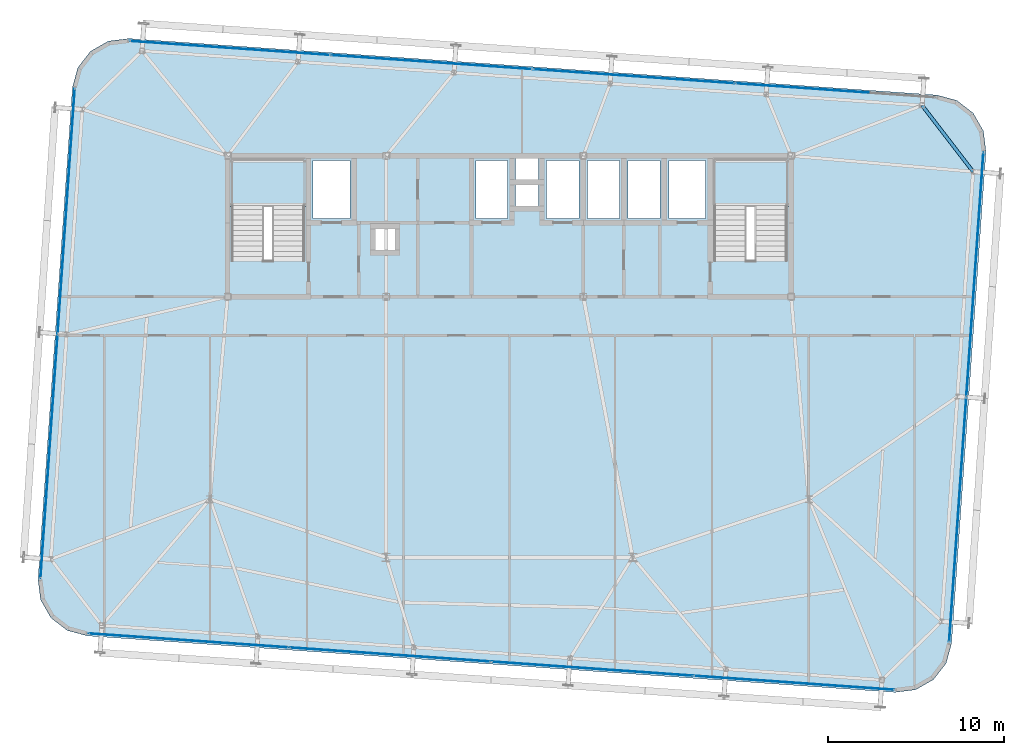
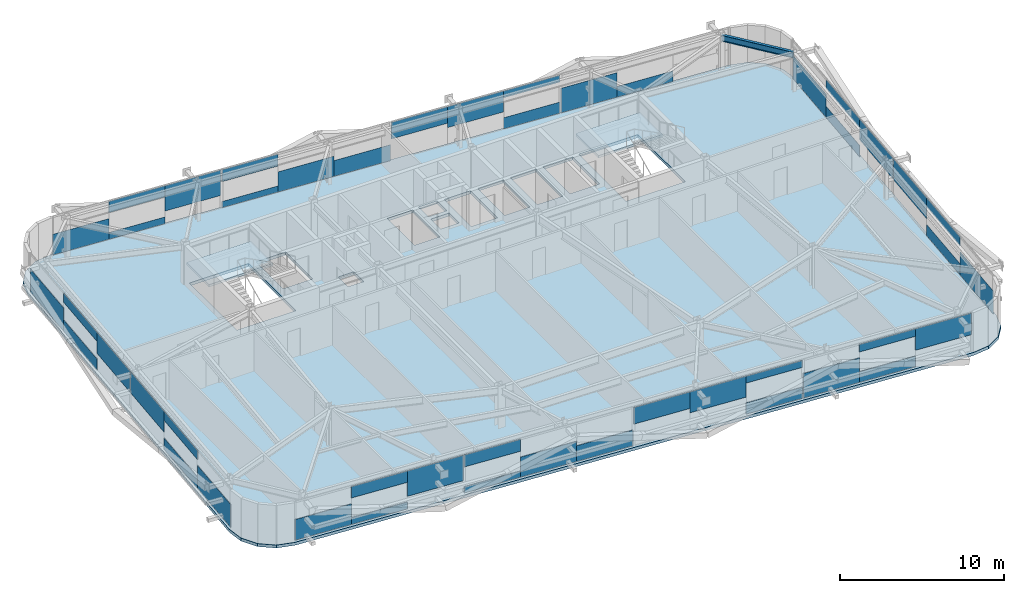
# One storey, part 25 of 39: 46 plates, 3 slabs, 1 beam, 6 elements without a shape of their own.
"""IFC4 building model written with IfcOpenShell, lengths in metres."""

from ifc_helpers import new_model, si_unit, direction, frame, origin, origin_2d, place, context, subcontext, project, spatial, polyline, rectangle, i_section, outline, extrude, source, transform, mapped, material, layer, layer_set, material_profile, profile_set, type_object, element, aggregate, save


model = new_model("IFC4")

# Units and contexts
model_context = context("Model", 3, precision=1e-05, world=origin(), true_north=direction((0.0, 1.0)))
body_context = subcontext(model_context, "Body", "Model", "MODEL_VIEW")
ifc_project = project(units=[si_unit("LENGTHUNIT", "METRE"), si_unit("AREAUNIT", "SQUARE_METRE"), si_unit("VOLUMEUNIT", "CUBIC_METRE"), si_unit("PLANEANGLEUNIT", "RADIAN"), si_unit("MASSUNIT", "GRAM", prefix="KILO")], contexts=[model_context])

# Site, building, storey
site_placement = place(None, origin())
site = spatial("IfcSite", under=ifc_project, at=site_placement, CompositionType="ELEMENT")
building_placement = place(site_placement, origin())
building = spatial("IfcBuilding", under=site, at=building_placement, Name="Taldren Reach Tower", CompositionType="ELEMENT")
storey_placement = place(building_placement, frame((0.0, 0.0, 123.550048828125)))
storey = spatial("IfcBuildingStorey", under=building, at=storey_placement, Name="L37", CompositionType="ELEMENT", Elevation=123.550048828125)

# Beam
ifc_material_1 = material(Name="Steel Gr 350 (350PLUS)", Category="steel")
ifc_material_profile = material_profile(ifc_material_1, i_section(OverallWidth=0.18994140625, OverallDepth=0.4541015625, WebThickness=0.008544921875, FlangeThickness=0.0126953125, at=origin_2d()), Name="460UB67.1")
ifc_profile_set = profile_set([ifc_material_profile], Name="Steel Gr 350 (350PLUS)")
beam_type = type_object("IfcBeamType", Name="SP-UB460B", PredefinedType="SPANDREL", material=ifc_profile_set)
shared_shape_1 = source(origin(), body_context, "Body", "SweptSolid", [
    extrude(i_section(OverallWidth=0.18994140625, OverallDepth=0.4541015625, WebThickness=0.008544921875, FlangeThickness=0.0126953125, at=origin_2d()), origin(), (0.0, 0.0, 1.0), 4.745849609375),
])
beam_placement = place(storey_placement, frame((61.3310546875, 31.1005859375, 2.702880859375), z_axis=(-0.609904656723, 0.792474800677, 0.0), x_axis=(-0.792474800677, -0.609904656723, 0.0)))
element("IfcBeam", 1, at=beam_placement, inside=storey, type_object=beam_type, Name="Perimeter spandrel B3 E3-N6 L37", PredefinedType="SPANDREL", context=body_context, shape_type="MappedRepresentation", body=[
    mapped(shared_shape_1, transform((0.0, 0.0, 0.0), scale=1.0)),
])

# Slab
ifc_material_2 = material(Name="Concrete N40 (40 MPa)", Category="concrete")
ifc_layer_1 = layer(ifc_material_2, 0.219970703125)
ifc_layer_set_1 = layer_set([ifc_layer_1], Name="Concrete N40 (40 MPa)")
slab_type_1 = type_object("IfcSlabType", Name="SL-FLR-220", PredefinedType="FLOOR", material=ifc_layer_set_1)
slab_1_placement = place(storey_placement, frame((0.0, 0.0, -0.219970703125)))
element("IfcSlab", 2, at=slab_1_placement, inside=storey, type_object=slab_type_1, Name="Suspended floor slab L37", PredefinedType="FLOOR", context=body_context, shape_type="SweptSolid", body=[
    extrude(outline(polyline([(56.908203125, 1.537109375), (58.0693359375, 1.684814453125), (59.08544921875, 2.265625), (59.80224609375, 3.191162109375), (60.110107421875, 4.320556640625), (62.063232421875, 32.252197265625), (61.91552734375, 33.413330078125), (61.334716796875, 34.4296875), (60.4091796875, 35.146240234375), (59.27978515625, 35.4541015625), (13.391845703125, 38.6630859375), (12.230712890625, 38.515380859375), (11.21435546875, 37.934326171875), (10.497802734375, 37.0087890625), (10.18994140625, 35.879638671875), (8.23681640625, 7.94775390625), (8.384521484375, 6.78662109375), (8.96533203125, 5.770263671875), (9.890869140625, 5.0537109375), (11.020263671875, 4.745849609375), (56.908203125, 1.537109375)]), holes=[polyline([(19.219970703125, 26.050048828125), (23.3798828125, 26.050048828125), (23.3798828125, 31.820068359375), (19.219970703125, 31.820068359375), (19.219970703125, 26.050048828125)]), polyline([(46.6201171875, 26.050048828125), (50.780029296875, 26.050048828125), (50.780029296875, 31.820068359375), (46.6201171875, 31.820068359375), (46.6201171875, 26.050048828125)]), polyline([(23.85009765625, 28.449951171875), (25.949951171875, 28.449951171875), (25.949951171875, 31.75), (23.85009765625, 31.75), (23.85009765625, 28.449951171875)]), polyline([(44.050048828125, 28.449951171875), (46.14990234375, 28.449951171875), (46.14990234375, 31.75), (44.050048828125, 31.75), (44.050048828125, 28.449951171875)]), polyline([(33.10009765625, 28.449951171875), (34.89990234375, 28.449951171875), (34.89990234375, 31.75), (33.10009765625, 31.75), (33.10009765625, 28.449951171875)]), polyline([(37.10009765625, 28.449951171875), (38.949951171875, 28.449951171875), (38.949951171875, 31.75), (37.10009765625, 31.75), (37.10009765625, 28.449951171875)]), polyline([(39.449951171875, 28.449951171875), (41.25, 28.449951171875), (41.25, 31.75), (39.449951171875, 31.75), (39.449951171875, 28.449951171875)]), polyline([(41.75, 28.449951171875), (43.550048828125, 28.449951171875), (43.550048828125, 31.75), (41.75, 31.75), (41.75, 28.449951171875)]), polyline([(35.35009765625, 30.64990234375), (36.64990234375, 30.64990234375), (36.64990234375, 31.85009765625), (35.35009765625, 31.85009765625), (35.35009765625, 30.64990234375)]), polyline([(35.35009765625, 29.14990234375), (36.64990234375, 29.14990234375), (36.64990234375, 30.35009765625), (35.35009765625, 30.35009765625), (35.35009765625, 29.14990234375)]), polyline([(27.39990234375, 26.64990234375), (28.5, 26.64990234375), (28.5, 27.85009765625), (27.39990234375, 27.85009765625), (27.39990234375, 26.64990234375)])]), origin(), (0.0, 0.0, 1.0), 0.219970703125),
])

# Stair, slab
ifc_material_3 = material(Name="Concrete S50 (50 MPa)", Category="concrete")
stair_type = type_object("IfcStairType", Name="ST-HT-315", PredefinedType="HALF_TURN_STAIR", material=ifc_material_3)
stair_1_placement = place(storey_placement, origin())
stair_1 = element("IfcStair", 3, at=stair_1_placement, inside=storey, type_object=stair_type, Name="Fire-isolated exit stair ST1 L37", PredefinedType="HALF_TURN_STAIR")
ifc_layer_2 = layer(ifc_material_3, 0.179931640625)
ifc_layer_set_2 = layer_set([ifc_layer_2], Name="Concrete S50 (50 MPa)")
slab_type_2 = type_object("IfcSlabType", Name="SL-LAND-180", PredefinedType="LANDING", material=ifc_layer_set_2)
slab_2_placement = place(storey_placement, frame((0.0, 0.0, 1.39501953125)))
slab_2 = element("IfcSlab", 4, at=slab_2_placement, type_object=slab_type_2, Name="ST1 landing 1", PredefinedType="LANDING", context=body_context, shape_type="SweptSolid", body=[
    extrude(outline(polyline([(19.0400390625, 29.135009765625), (23.56005859375, 29.135009765625), (23.56005859375, 31.8701171875), (19.0400390625, 31.8701171875), (19.0400390625, 29.135009765625)])), origin(), (0.0, 0.0, 1.0), 0.179931640625),
])
aggregate(stair_1, [slab_2])

stair_2_placement = place(storey_placement, origin())
stair_2 = element("IfcStair", 5, at=stair_2_placement, inside=storey, type_object=stair_type, Name="Fire-isolated exit stair ST2 L37", PredefinedType="HALF_TURN_STAIR")
slab_3_placement = place(storey_placement, frame((0.0, 0.0, 1.39501953125)))
slab_3 = element("IfcSlab", 6, at=slab_3_placement, type_object=slab_type_2, Name="ST2 landing 1", PredefinedType="LANDING", context=body_context, shape_type="SweptSolid", body=[
    extrude(outline(polyline([(46.43994140625, 29.135009765625), (50.9599609375, 29.135009765625), (50.9599609375, 31.8701171875), (46.43994140625, 31.8701171875), (46.43994140625, 29.135009765625)])), origin(), (0.0, 0.0, 1.0), 0.179931640625),
])
aggregate(stair_2, [slab_3])

# Curtain wall, plates
ifc_material_4 = material(Name="Aluminium and Low-E Glass Unitised System", Category="aluminium")
ifc_layer_3 = layer(ifc_material_4, 0.159912109375)
ifc_layer_set_3 = layer_set([ifc_layer_3], Name="Aluminium and Low-E Glass Unitised System")
curtain_wall_type = type_object("IfcCurtainWallType", Name="CW-SYS-4", PredefinedType="NOTDEFINED", material=ifc_layer_set_3)
curtain_wall_1_placement = place(storey_placement, origin())
curtain_wall_1 = element("IfcCurtainWall", 7, at=curtain_wall_1_placement, inside=storey, type_object=curtain_wall_type, Name="Unitised curtain wall CW-L37-S", PredefinedType="NOTDEFINED")
ifc_material_5 = material(Name="Solar-Control Double Glazed IGU", Category="glass")
ifc_layer_4 = layer(ifc_material_5, 0.031982421875)
ifc_layer_set_4 = layer_set([ifc_layer_4], Name="Solar-Control Double Glazed IGU")
plate_type = type_object("IfcPlateType", Name="CW-PNL-IGU32", PredefinedType="CURTAIN_PANEL", material=ifc_layer_set_4)
shared_shape_2 = source(origin(), body_context, "Body", "SweptSolid", [
    extrude(rectangle(XDim=3.79833984375, YDim=0.031982421875, at=origin_2d()), origin(), (0.0, 0.0, 1.0), 1.597900390625),
])
plate_1_placement = place(storey_placement, frame((54.95361328125, 1.81396484375, 1.27685546875), z_axis=(0.0, 0.0, 1.0), x_axis=(0.99756404731, -0.06975651593, 0.0)))
plate_1 = element("IfcPlate", 8, at=plate_1_placement, type_object=plate_type, Name="CW-4 panel 4.1 part 4", PredefinedType="CURTAIN_PANEL", context=body_context, shape_type="MappedRepresentation", body=[
    mapped(shared_shape_2, transform((0.0, 0.0, 0.0), scale=1.0)),
])
shared_shape_3 = source(origin(), body_context, "Body", "SweptSolid", [
    extrude(rectangle(XDim=3.79833984375, YDim=0.031982421875, at=origin_2d()), origin(), (0.0, 0.0, 1.0), 0.787109375),
])
plate_2_placement = place(storey_placement, frame((51.16455078125, 2.0791015625, 0.054931640625), z_axis=(0.0, 0.0, 1.0), x_axis=(0.99756404731, -0.06975651593, 0.0)))
plate_2 = element("IfcPlate", 9, at=plate_2_placement, type_object=plate_type, Name="CW-4 panel 4.1 part 2", PredefinedType="CURTAIN_PANEL", context=body_context, shape_type="MappedRepresentation", body=[
    mapped(shared_shape_3, transform((0.0, 0.0, 0.0), scale=1.0)),
])

# Curtain wall, plate
curtain_wall_2_placement = place(storey_placement, origin())
curtain_wall_2 = element("IfcCurtainWall", 10, at=curtain_wall_2_placement, inside=storey, type_object=curtain_wall_type, Name="Unitised curtain wall CW-L37-N", PredefinedType="NOTDEFINED")
plate_3_placement = place(storey_placement, frame((53.5166015625, 35.716796875, 0.054931640625), z_axis=(0.0, 0.0, 1.0), x_axis=(-0.99756404731, 0.06975651593, 0.0)))
plate_3 = element("IfcPlate", 11, at=plate_3_placement, type_object=plate_type, Name="CW-4 panel 1.1 part 2", PredefinedType="CURTAIN_PANEL", context=body_context, shape_type="MappedRepresentation", body=[
    mapped(shared_shape_3, transform((0.0, 0.0, 0.0), scale=1.0)),
])

# Plate
shared_shape_4 = source(origin(), body_context, "Body", "SweptSolid", [
    extrude(rectangle(XDim=3.79833984375, YDim=0.031982421875, at=origin_2d()), origin(), (0.0, 0.0, 1.0), 0.558349609375),
])
plate_4_placement = place(storey_placement, frame((51.16455078125, 2.0791015625, 2.31640625), z_axis=(0.0, 0.0, 1.0), x_axis=(0.99756404731, -0.06975651593, 0.0)))
plate_4 = element("IfcPlate", 12, at=plate_4_placement, type_object=plate_type, Name="CW-4 panel 4.1 part 3", PredefinedType="CURTAIN_PANEL", context=body_context, shape_type="MappedRepresentation", body=[
    mapped(shared_shape_4, transform((0.0, 0.0, 0.0), scale=1.0)),
])

shared_shape_5 = source(origin(), body_context, "Body", "SweptSolid", [
    extrude(rectangle(XDim=3.79833984375, YDim=0.031982421875, at=origin_2d()), origin(), (0.0, 0.0, 1.0), 1.826416015625),
])
plate_5_placement = place(storey_placement, frame((47.375244140625, 2.343994140625, 0.05517578125), z_axis=(0.0, 0.0, 1.0), x_axis=(0.99756404731, -0.06975651593, 0.0)))
plate_5 = element("IfcPlate", 13, at=plate_5_placement, type_object=plate_type, Name="CW-4 panel 4.1 part 1", PredefinedType="CURTAIN_PANEL", context=body_context, shape_type="MappedRepresentation", body=[
    mapped(shared_shape_5, transform((0.0, 0.0, 0.0), scale=1.0)),
])

plate_6_placement = place(storey_placement, frame((49.7275390625, 35.981689453125, 0.05517578125), z_axis=(0.0, 0.0, 1.0), x_axis=(-0.99756404731, 0.06975651593, 0.0)))
plate_6 = element("IfcPlate", 14, at=plate_6_placement, type_object=plate_type, Name="CW-4 panel 1.1 part 4", PredefinedType="CURTAIN_PANEL", context=body_context, shape_type="MappedRepresentation", body=[
    mapped(shared_shape_5, transform((0.0, 0.0, 0.0), scale=1.0)),
])

shared_shape_6 = source(origin(), body_context, "Body", "SweptSolid", [
    extrude(rectangle(XDim=3.81005859375, YDim=0.031982421875, at=origin_2d()), origin(), (0.0, 0.0, 1.0), 0.8271484375),
])
plate_7_placement = place(storey_placement, frame((43.510498046875, 2.6142578125, 0.054931640625), z_axis=(0.0, 0.0, 1.0), x_axis=(0.99756404731, -0.06975651593, 0.0)))
plate_7 = element("IfcPlate", 15, at=plate_7_placement, type_object=plate_type, Name="CW-4 panel 3.1 part 3", PredefinedType="CURTAIN_PANEL", context=body_context, shape_type="MappedRepresentation", body=[
    mapped(shared_shape_6, transform((0.0, 0.0, 0.0), scale=1.0)),
])

plate_8_placement = place(storey_placement, frame((45.86279296875, 36.251953125, 0.054931640625), z_axis=(0.0, 0.0, 1.0), x_axis=(-0.99756404731, 0.06975651593, 0.0)))
plate_8 = element("IfcPlate", 16, at=plate_8_placement, type_object=plate_type, Name="CW-4 panel 2.1 part 1", PredefinedType="CURTAIN_PANEL", context=body_context, shape_type="MappedRepresentation", body=[
    mapped(shared_shape_6, transform((0.0, 0.0, 0.0), scale=1.0)),
])

shared_shape_7 = source(origin(), body_context, "Body", "SweptSolid", [
    extrude(rectangle(XDim=3.81005859375, YDim=0.031982421875, at=origin_2d()), origin(), (0.0, 0.0, 1.0), 0.51513671875),
])
plate_9_placement = place(storey_placement, frame((43.510498046875, 2.6142578125, 2.35986328125), z_axis=(0.0, 0.0, 1.0), x_axis=(0.99756404731, -0.06975651593, 0.0)))
plate_9 = element("IfcPlate", 17, at=plate_9_placement, type_object=plate_type, Name="CW-4 panel 3.1 part 4", PredefinedType="CURTAIN_PANEL", context=body_context, shape_type="MappedRepresentation", body=[
    mapped(shared_shape_7, transform((0.0, 0.0, 0.0), scale=1.0)),
])

plate_10_placement = place(storey_placement, frame((45.86279296875, 36.251953125, 2.35986328125), z_axis=(0.0, 0.0, 1.0), x_axis=(-0.99756404731, 0.06975651593, 0.0)))
plate_10 = element("IfcPlate", 18, at=plate_10_placement, type_object=plate_type, Name="CW-4 panel 2.1 part 2", PredefinedType="CURTAIN_PANEL", context=body_context, shape_type="MappedRepresentation", body=[
    mapped(shared_shape_7, transform((0.0, 0.0, 0.0), scale=1.0)),
])

shared_shape_8 = source(origin(), body_context, "Body", "SweptSolid", [
    extrude(rectangle(XDim=3.81005859375, YDim=0.031982421875, at=origin_2d()), origin(), (0.0, 0.0, 1.0), 1.5576171875),
])
plate_11_placement = place(storey_placement, frame((39.7099609375, 2.8798828125, 1.3173828125), z_axis=(0.0, 0.0, 1.0), x_axis=(0.99756404731, -0.06975651593, 0.0)))
plate_11 = element("IfcPlate", 19, at=plate_11_placement, type_object=plate_type, Name="CW-4 panel 3.1 part 2", PredefinedType="CURTAIN_PANEL", context=body_context, shape_type="MappedRepresentation", body=[
    mapped(shared_shape_8, transform((0.0, 0.0, 0.0), scale=1.0)),
])

plate_12_placement = place(storey_placement, frame((42.06201171875, 36.517822265625, 1.3173828125), z_axis=(0.0, 0.0, 1.0), x_axis=(-0.99756404731, 0.06975651593, 0.0)))
plate_12 = element("IfcPlate", 20, at=plate_12_placement, type_object=plate_type, Name="CW-4 panel 2.1 part 3", PredefinedType="CURTAIN_PANEL", context=body_context, shape_type="MappedRepresentation", body=[
    mapped(shared_shape_8, transform((0.0, 0.0, 0.0), scale=1.0)),
])

shared_shape_9 = source(origin(), body_context, "Body", "SweptSolid", [
    extrude(rectangle(XDim=3.81005859375, YDim=0.031982421875, at=origin_2d()), origin(), (0.0, 0.0, 1.0), 1.23193359375),
])
plate_13_placement = place(storey_placement, frame((35.9091796875, 3.145751953125, 1.64306640625), z_axis=(0.0, 0.0, 1.0), x_axis=(0.99756404731, -0.06975651593, 0.0)))
plate_13 = element("IfcPlate", 21, at=plate_13_placement, type_object=plate_type, Name="CW-4 panel 3.1 part 1", PredefinedType="CURTAIN_PANEL", context=body_context, shape_type="MappedRepresentation", body=[
    mapped(shared_shape_9, transform((0.0, 0.0, 0.0), scale=1.0)),
])

plate_14_placement = place(storey_placement, frame((38.261474609375, 36.78369140625, 1.64306640625), z_axis=(0.0, 0.0, 1.0), x_axis=(-0.99756404731, 0.06975651593, 0.0)))
plate_14 = element("IfcPlate", 22, at=plate_14_placement, type_object=plate_type, Name="CW-4 panel 2.1 part 4", PredefinedType="CURTAIN_PANEL", context=body_context, shape_type="MappedRepresentation", body=[
    mapped(shared_shape_9, transform((0.0, 0.0, 0.0), scale=1.0)),
])

shared_shape_10 = source(origin(), body_context, "Body", "SweptSolid", [
    extrude(rectangle(XDim=3.81005859375, YDim=0.031982421875, at=origin_2d()), origin(), (0.0, 0.0, 1.0), 1.172119140625),
])
plate_15_placement = place(storey_placement, frame((32.03857421875, 3.41650390625, 0.0546875), z_axis=(0.0, 0.0, 1.0), x_axis=(0.99756404731, -0.06975651593, 0.0)))
plate_15 = element("IfcPlate", 23, at=plate_15_placement, type_object=plate_type, Name="CW-4 panel 2.1 part 4", PredefinedType="CURTAIN_PANEL", context=body_context, shape_type="MappedRepresentation", body=[
    mapped(shared_shape_10, transform((0.0, 0.0, 0.0), scale=1.0)),
])

plate_16_placement = place(storey_placement, frame((34.390869140625, 37.05419921875, 0.0546875), z_axis=(0.0, 0.0, 1.0), x_axis=(-0.99756404731, 0.06975651593, 0.0)))
plate_16 = element("IfcPlate", 24, at=plate_16_placement, type_object=plate_type, Name="CW-4 panel 3.1 part 1", PredefinedType="CURTAIN_PANEL", context=body_context, shape_type="MappedRepresentation", body=[
    mapped(shared_shape_10, transform((0.0, 0.0, 0.0), scale=1.0)),
])

shared_shape_11 = source(origin(), body_context, "Body", "SweptSolid", [
    extrude(rectangle(XDim=3.81005859375, YDim=0.031982421875, at=origin_2d()), origin(), (0.0, 0.0, 1.0), 1.497802734375),
])
plate_17_placement = place(storey_placement, frame((28.23779296875, 3.68212890625, 0.0546875), z_axis=(0.0, 0.0, 1.0), x_axis=(0.99756404731, -0.06975651593, 0.0)))
plate_17 = element("IfcPlate", 25, at=plate_17_placement, type_object=plate_type, Name="CW-4 panel 2.1 part 3", PredefinedType="CURTAIN_PANEL", context=body_context, shape_type="MappedRepresentation", body=[
    mapped(shared_shape_11, transform((0.0, 0.0, 0.0), scale=1.0)),
])

plate_18_placement = place(storey_placement, frame((30.590087890625, 37.320068359375, 0.0546875), z_axis=(0.0, 0.0, 1.0), x_axis=(-0.99756404731, 0.06975651593, 0.0)))
plate_18 = element("IfcPlate", 26, at=plate_18_placement, type_object=plate_type, Name="CW-4 panel 3.1 part 2", PredefinedType="CURTAIN_PANEL", context=body_context, shape_type="MappedRepresentation", body=[
    mapped(shared_shape_11, transform((0.0, 0.0, 0.0), scale=1.0)),
])

shared_shape_12 = source(origin(), body_context, "Body", "SweptSolid", [
    extrude(rectangle(XDim=3.81005859375, YDim=0.031982421875, at=origin_2d()), origin(), (0.0, 0.0, 1.0), 0.455078125),
])
plate_19_placement = place(storey_placement, frame((24.437255859375, 3.947998046875, 0.054931640625), z_axis=(0.0, 0.0, 1.0), x_axis=(0.99756404731, -0.06975651593, 0.0)))
plate_19 = element("IfcPlate", 27, at=plate_19_placement, type_object=plate_type, Name="CW-4 panel 2.1 part 1", PredefinedType="CURTAIN_PANEL", context=body_context, shape_type="MappedRepresentation", body=[
    mapped(shared_shape_12, transform((0.0, 0.0, 0.0), scale=1.0)),
])

plate_20_placement = place(storey_placement, frame((26.789306640625, 37.585693359375, 0.054931640625), z_axis=(0.0, 0.0, 1.0), x_axis=(-0.99756404731, 0.06975651593, 0.0)))
plate_20 = element("IfcPlate", 28, at=plate_20_placement, type_object=plate_type, Name="CW-4 panel 3.1 part 3", PredefinedType="CURTAIN_PANEL", context=body_context, shape_type="MappedRepresentation", body=[
    mapped(shared_shape_12, transform((0.0, 0.0, 0.0), scale=1.0)),
])

shared_shape_13 = source(origin(), body_context, "Body", "SweptSolid", [
    extrude(rectangle(XDim=3.81005859375, YDim=0.031982421875, at=origin_2d()), origin(), (0.0, 0.0, 1.0), 0.88720703125),
])
plate_21_placement = place(storey_placement, frame((24.437255859375, 3.947998046875, 1.98779296875), z_axis=(0.0, 0.0, 1.0), x_axis=(0.99756404731, -0.06975651593, 0.0)))
plate_21 = element("IfcPlate", 29, at=plate_21_placement, type_object=plate_type, Name="CW-4 panel 2.1 part 2", PredefinedType="CURTAIN_PANEL", context=body_context, shape_type="MappedRepresentation", body=[
    mapped(shared_shape_13, transform((0.0, 0.0, 0.0), scale=1.0)),
])

plate_22_placement = place(storey_placement, frame((26.789306640625, 37.585693359375, 1.98779296875), z_axis=(0.0, 0.0, 1.0), x_axis=(-0.99756404731, 0.06975651593, 0.0)))
plate_22 = element("IfcPlate", 30, at=plate_22_placement, type_object=plate_type, Name="CW-4 panel 3.1 part 4", PredefinedType="CURTAIN_PANEL", context=body_context, shape_type="MappedRepresentation", body=[
    mapped(shared_shape_13, transform((0.0, 0.0, 0.0), scale=1.0)),
])

shared_shape_14 = source(origin(), body_context, "Body", "SweptSolid", [
    extrude(rectangle(XDim=3.79833984375, YDim=0.031982421875, at=origin_2d()), origin(), (0.0, 0.0, 1.0), 1.886474609375),
])
plate_23_placement = place(storey_placement, frame((20.572509765625, 4.21826171875, 0.98828125), z_axis=(0.0, 0.0, 1.0), x_axis=(0.99756404731, -0.06975651593, 0.0)))
plate_23 = element("IfcPlate", 31, at=plate_23_placement, type_object=plate_type, Name="CW-4 panel 1.1 part 4", PredefinedType="CURTAIN_PANEL", context=body_context, shape_type="MappedRepresentation", body=[
    mapped(shared_shape_14, transform((0.0, 0.0, 0.0), scale=1.0)),
])

plate_24_placement = place(storey_placement, frame((22.924560546875, 37.85595703125, 0.98828125), z_axis=(0.0, 0.0, 1.0), x_axis=(-0.99756404731, 0.06975651593, 0.0)))
plate_24 = element("IfcPlate", 32, at=plate_24_placement, type_object=plate_type, Name="CW-4 panel 4.1 part 1", PredefinedType="CURTAIN_PANEL", context=body_context, shape_type="MappedRepresentation", body=[
    mapped(shared_shape_14, transform((0.0, 0.0, 0.0), scale=1.0)),
])

shared_shape_15 = source(origin(), body_context, "Body", "SweptSolid", [
    extrude(rectangle(XDim=3.79833984375, YDim=0.031982421875, at=origin_2d()), origin(), (0.0, 0.0, 1.0), 0.498291015625),
])
plate_25_placement = place(storey_placement, frame((16.783447265625, 4.483154296875, 0.05517578125), z_axis=(0.0, 0.0, 1.0), x_axis=(0.99756404731, -0.06975651593, 0.0)))
plate_25 = element("IfcPlate", 33, at=plate_25_placement, type_object=plate_type, Name="CW-4 panel 1.1 part 2", PredefinedType="CURTAIN_PANEL", context=body_context, shape_type="MappedRepresentation", body=[
    mapped(shared_shape_15, transform((0.0, 0.0, 0.0), scale=1.0)),
])

plate_26_placement = place(storey_placement, frame((19.135498046875, 38.12109375, 0.05517578125), z_axis=(0.0, 0.0, 1.0), x_axis=(-0.99756404731, 0.06975651593, 0.0)))
plate_26 = element("IfcPlate", 34, at=plate_26_placement, type_object=plate_type, Name="CW-4 panel 4.1 part 2", PredefinedType="CURTAIN_PANEL", context=body_context, shape_type="MappedRepresentation", body=[
    mapped(shared_shape_15, transform((0.0, 0.0, 0.0), scale=1.0)),
])

shared_shape_16 = source(origin(), body_context, "Body", "SweptSolid", [
    extrude(rectangle(XDim=3.79833984375, YDim=0.031982421875, at=origin_2d()), origin(), (0.0, 0.0, 1.0), 0.84716796875),
])
plate_27_placement = place(storey_placement, frame((16.783447265625, 4.483154296875, 2.02783203125), z_axis=(0.0, 0.0, 1.0), x_axis=(0.99756404731, -0.06975651593, 0.0)))
plate_27 = element("IfcPlate", 35, at=plate_27_placement, type_object=plate_type, Name="CW-4 panel 1.1 part 3", PredefinedType="CURTAIN_PANEL", context=body_context, shape_type="MappedRepresentation", body=[
    mapped(shared_shape_16, transform((0.0, 0.0, 0.0), scale=1.0)),
])

plate_28_placement = place(storey_placement, frame((19.135498046875, 38.12109375, 2.02783203125), z_axis=(0.0, 0.0, 1.0), x_axis=(-0.99756404731, 0.06975651593, 0.0)))
plate_28 = element("IfcPlate", 36, at=plate_28_placement, type_object=plate_type, Name="CW-4 panel 4.1 part 3", PredefinedType="CURTAIN_PANEL", context=body_context, shape_type="MappedRepresentation", body=[
    mapped(shared_shape_16, transform((0.0, 0.0, 0.0), scale=1.0)),
])

shared_shape_17 = source(origin(), body_context, "Body", "SweptSolid", [
    extrude(rectangle(XDim=3.79833984375, YDim=0.031982421875, at=origin_2d()), origin(), (0.0, 0.0, 1.0), 1.537841796875),
])
plate_29_placement = place(storey_placement, frame((12.994384765625, 4.748046875, 0.05517578125), z_axis=(0.0, 0.0, 1.0), x_axis=(0.99756404731, -0.06975651593, 0.0)))
plate_29 = element("IfcPlate", 37, at=plate_29_placement, type_object=plate_type, Name="CW-4 panel 1.1 part 1", PredefinedType="CURTAIN_PANEL", context=body_context, shape_type="MappedRepresentation", body=[
    mapped(shared_shape_17, transform((0.0, 0.0, 0.0), scale=1.0)),
])

aggregate(curtain_wall_1, [plate_29, plate_25, plate_27, plate_23, plate_19, plate_21, plate_17, plate_15, plate_13, plate_11, plate_7, plate_9, plate_5, plate_2, plate_4, plate_1])

plate_30_placement = place(storey_placement, frame((15.346435546875, 38.385986328125, 0.05517578125), z_axis=(0.0, 0.0, 1.0), x_axis=(-0.99756404731, 0.06975651593, 0.0)))
plate_30 = element("IfcPlate", 38, at=plate_30_placement, type_object=plate_type, Name="CW-4 panel 4.1 part 4", PredefinedType="CURTAIN_PANEL", context=body_context, shape_type="MappedRepresentation", body=[
    mapped(shared_shape_17, transform((0.0, 0.0, 0.0), scale=1.0)),
])

aggregate(curtain_wall_2, [plate_3, plate_6, plate_8, plate_10, plate_12, plate_14, plate_16, plate_18, plate_20, plate_22, plate_24, plate_26, plate_28, plate_30])

# Curtain wall, plates
curtain_wall_3_placement = place(storey_placement, origin())
curtain_wall_3 = element("IfcCurtainWall", 39, at=curtain_wall_3_placement, inside=storey, type_object=curtain_wall_type, Name="Unitised curtain wall CW-L37-W", PredefinedType="NOTDEFINED")
shared_shape_18 = source(origin(), body_context, "Body", "SweptSolid", [
    extrude(rectangle(XDim=4.631591796875, YDim=0.031982421875, at=origin_2d()), origin(), (0.0, 0.0, 1.0), 1.716552734375),
])
plate_31_placement = place(storey_placement, frame((10.1630859375, 33.48974609375, 0.05517578125), z_axis=(0.0, 0.0, 1.0), x_axis=(-0.069756437251, -0.997564052812, 0.0)))
plate_31 = element("IfcPlate", 40, at=plate_31_placement, type_object=plate_type, Name="CW-4 panel 1.1 part 1", PredefinedType="CURTAIN_PANEL", context=body_context, shape_type="MappedRepresentation", body=[
    mapped(shared_shape_18, transform((0.0, 0.0, 0.0), scale=1.0)),
])
plate_32_placement = place(storey_placement, frame((8.542724609375, 10.318115234375, 0.05517578125), z_axis=(0.0, 0.0, 1.0), x_axis=(-0.069756437251, -0.997564052812, 0.0)))
plate_32 = element("IfcPlate", 41, at=plate_32_placement, type_object=plate_type, Name="CW-4 panel 2.1 part 4", PredefinedType="CURTAIN_PANEL", context=body_context, shape_type="MappedRepresentation", body=[
    mapped(shared_shape_18, transform((0.0, 0.0, 0.0), scale=1.0)),
])

curtain_wall_4_placement = place(storey_placement, origin())
curtain_wall_4 = element("IfcCurtainWall", 42, at=curtain_wall_4_placement, inside=storey, type_object=curtain_wall_type, Name="Unitised curtain wall CW-L37-E", PredefinedType="NOTDEFINED")
plate_33_placement = place(storey_placement, frame((60.136962890625, 6.710205078125, 0.05517578125), z_axis=(0.0, 0.0, 1.0), x_axis=(0.069756437251, 0.997564052812, 0.0)))
plate_33 = element("IfcPlate", 43, at=plate_33_placement, type_object=plate_type, Name="CW-4 panel 1.1 part 1", PredefinedType="CURTAIN_PANEL", context=body_context, shape_type="MappedRepresentation", body=[
    mapped(shared_shape_18, transform((0.0, 0.0, 0.0), scale=1.0)),
])
plate_34_placement = place(storey_placement, frame((61.757080078125, 29.882080078125, 0.05517578125), z_axis=(0.0, 0.0, 1.0), x_axis=(0.069756437251, 0.997564052812, 0.0)))
plate_34 = element("IfcPlate", 44, at=plate_34_placement, type_object=plate_type, Name="CW-4 panel 2.1 part 4", PredefinedType="CURTAIN_PANEL", context=body_context, shape_type="MappedRepresentation", body=[
    mapped(shared_shape_18, transform((0.0, 0.0, 0.0), scale=1.0)),
])

# Plate
shared_shape_19 = source(origin(), body_context, "Body", "SweptSolid", [
    extrude(rectangle(XDim=4.631591796875, YDim=0.031982421875, at=origin_2d()), origin(), (0.0, 0.0, 1.0), 0.837158203125),
])
plate_35_placement = place(storey_placement, frame((9.840087890625, 28.869384765625, 0.05517578125), z_axis=(0.0, 0.0, 1.0), x_axis=(-0.069756437251, -0.997564052812, 0.0)))
plate_35 = element("IfcPlate", 45, at=plate_35_placement, type_object=plate_type, Name="CW-4 panel 1.1 part 2", PredefinedType="CURTAIN_PANEL", context=body_context, shape_type="MappedRepresentation", body=[
    mapped(shared_shape_19, transform((0.0, 0.0, 0.0), scale=1.0)),
])

plate_36_placement = place(storey_placement, frame((8.865966796875, 14.9384765625, 0.05517578125), z_axis=(0.0, 0.0, 1.0), x_axis=(-0.069756437251, -0.997564052812, 0.0)))
plate_36 = element("IfcPlate", 46, at=plate_36_placement, type_object=plate_type, Name="CW-4 panel 2.1 part 2", PredefinedType="CURTAIN_PANEL", context=body_context, shape_type="MappedRepresentation", body=[
    mapped(shared_shape_19, transform((0.0, 0.0, 0.0), scale=1.0)),
])

plate_37_placement = place(storey_placement, frame((60.4599609375, 11.33056640625, 0.05517578125), z_axis=(0.0, 0.0, 1.0), x_axis=(0.069756437251, 0.997564052812, 0.0)))
plate_37 = element("IfcPlate", 47, at=plate_37_placement, type_object=plate_type, Name="CW-4 panel 1.1 part 2", PredefinedType="CURTAIN_PANEL", context=body_context, shape_type="MappedRepresentation", body=[
    mapped(shared_shape_19, transform((0.0, 0.0, 0.0), scale=1.0)),
])

plate_38_placement = place(storey_placement, frame((61.43408203125, 25.261474609375, 0.05517578125), z_axis=(0.0, 0.0, 1.0), x_axis=(0.069756437251, 0.997564052812, 0.0)))
plate_38 = element("IfcPlate", 48, at=plate_38_placement, type_object=plate_type, Name="CW-4 panel 2.1 part 2", PredefinedType="CURTAIN_PANEL", context=body_context, shape_type="MappedRepresentation", body=[
    mapped(shared_shape_19, transform((0.0, 0.0, 0.0), scale=1.0)),
])

shared_shape_20 = source(origin(), body_context, "Body", "SweptSolid", [
    extrude(rectangle(XDim=4.631591796875, YDim=0.031982421875, at=origin_2d()), origin(), (0.0, 0.0, 1.0), 0.676025390625),
])
plate_39_placement = place(storey_placement, frame((9.840087890625, 28.869384765625, 2.19873046875), z_axis=(0.0, 0.0, 1.0), x_axis=(-0.069756437251, -0.997564052812, 0.0)))
plate_39 = element("IfcPlate", 49, at=plate_39_placement, type_object=plate_type, Name="CW-4 panel 1.1 part 3", PredefinedType="CURTAIN_PANEL", context=body_context, shape_type="MappedRepresentation", body=[
    mapped(shared_shape_20, transform((0.0, 0.0, 0.0), scale=1.0)),
])

plate_40_placement = place(storey_placement, frame((8.865966796875, 14.9384765625, 2.19873046875), z_axis=(0.0, 0.0, 1.0), x_axis=(-0.069756437251, -0.997564052812, 0.0)))
plate_40 = element("IfcPlate", 50, at=plate_40_placement, type_object=plate_type, Name="CW-4 panel 2.1 part 3", PredefinedType="CURTAIN_PANEL", context=body_context, shape_type="MappedRepresentation", body=[
    mapped(shared_shape_20, transform((0.0, 0.0, 0.0), scale=1.0)),
])

plate_41_placement = place(storey_placement, frame((60.4599609375, 11.33056640625, 2.19873046875), z_axis=(0.0, 0.0, 1.0), x_axis=(0.069756437251, 0.997564052812, 0.0)))
plate_41 = element("IfcPlate", 51, at=plate_41_placement, type_object=plate_type, Name="CW-4 panel 1.1 part 3", PredefinedType="CURTAIN_PANEL", context=body_context, shape_type="MappedRepresentation", body=[
    mapped(shared_shape_20, transform((0.0, 0.0, 0.0), scale=1.0)),
])

plate_42_placement = place(storey_placement, frame((61.43408203125, 25.261474609375, 2.19873046875), z_axis=(0.0, 0.0, 1.0), x_axis=(0.069756437251, 0.997564052812, 0.0)))
plate_42 = element("IfcPlate", 52, at=plate_42_placement, type_object=plate_type, Name="CW-4 panel 2.1 part 3", PredefinedType="CURTAIN_PANEL", context=body_context, shape_type="MappedRepresentation", body=[
    mapped(shared_shape_20, transform((0.0, 0.0, 0.0), scale=1.0)),
])

shared_shape_21 = source(origin(), body_context, "Body", "SweptSolid", [
    extrude(rectangle(XDim=4.631591796875, YDim=0.031982421875, at=origin_2d()), origin(), (0.0, 0.0, 1.0), 1.555419921875),
])
plate_43_placement = place(storey_placement, frame((9.51708984375, 24.2490234375, 1.3193359375), z_axis=(0.0, 0.0, 1.0), x_axis=(-0.069756437251, -0.997564052812, 0.0)))
plate_43 = element("IfcPlate", 53, at=plate_43_placement, type_object=plate_type, Name="CW-4 panel 1.1 part 4", PredefinedType="CURTAIN_PANEL", context=body_context, shape_type="MappedRepresentation", body=[
    mapped(shared_shape_21, transform((0.0, 0.0, 0.0), scale=1.0)),
])

plate_44_placement = place(storey_placement, frame((9.18896484375, 19.558837890625, 1.3193359375), z_axis=(0.0, 0.0, 1.0), x_axis=(-0.069756437251, -0.997564052812, 0.0)))
plate_44 = element("IfcPlate", 54, at=plate_44_placement, type_object=plate_type, Name="CW-4 panel 2.1 part 1", PredefinedType="CURTAIN_PANEL", context=body_context, shape_type="MappedRepresentation", body=[
    mapped(shared_shape_21, transform((0.0, 0.0, 0.0), scale=1.0)),
])

aggregate(curtain_wall_3, [plate_31, plate_35, plate_39, plate_43, plate_44, plate_36, plate_40, plate_32])

plate_45_placement = place(storey_placement, frame((60.782958984375, 15.950927734375, 1.3193359375), z_axis=(0.0, 0.0, 1.0), x_axis=(0.069756437251, 0.997564052812, 0.0)))
plate_45 = element("IfcPlate", 55, at=plate_45_placement, type_object=plate_type, Name="CW-4 panel 1.1 part 4", PredefinedType="CURTAIN_PANEL", context=body_context, shape_type="MappedRepresentation", body=[
    mapped(shared_shape_21, transform((0.0, 0.0, 0.0), scale=1.0)),
])

plate_46_placement = place(storey_placement, frame((61.111083984375, 20.64111328125, 1.3193359375), z_axis=(0.0, 0.0, 1.0), x_axis=(0.069756437251, 0.997564052812, 0.0)))
plate_46 = element("IfcPlate", 56, at=plate_46_placement, type_object=plate_type, Name="CW-4 panel 2.1 part 1", PredefinedType="CURTAIN_PANEL", context=body_context, shape_type="MappedRepresentation", body=[
    mapped(shared_shape_21, transform((0.0, 0.0, 0.0), scale=1.0)),
])

aggregate(curtain_wall_4, [plate_33, plate_37, plate_41, plate_45, plate_46, plate_38, plate_42, plate_34])

save(model, "model.ifc")
